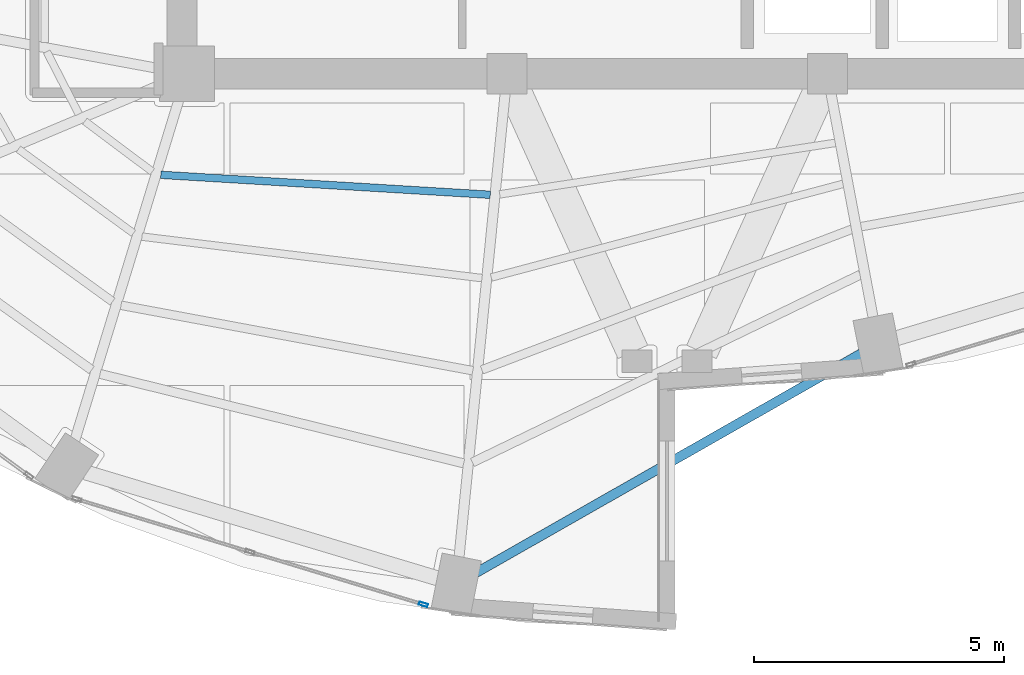
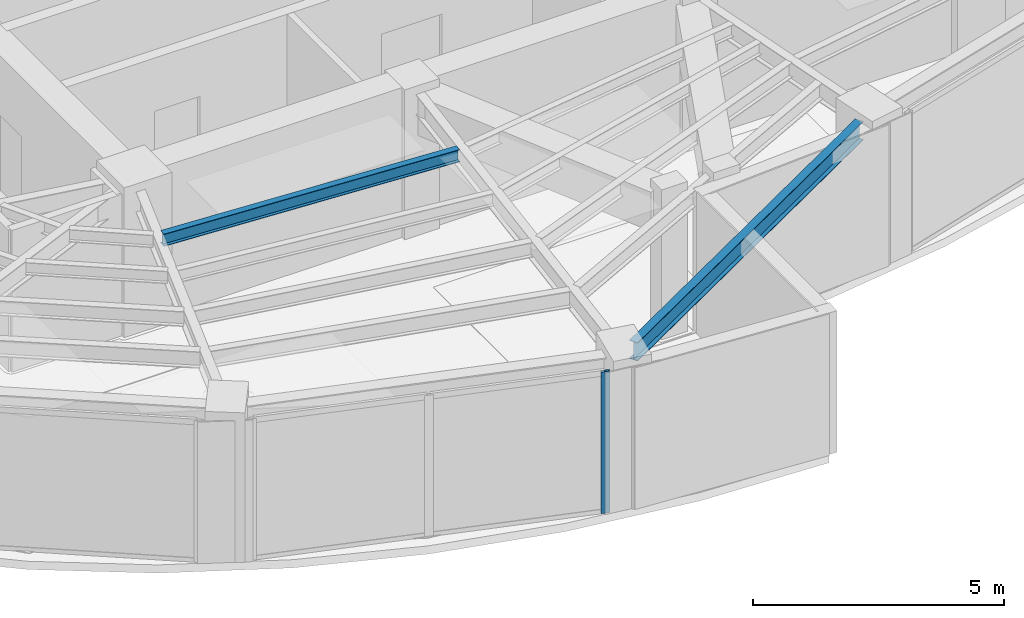
# One storey, part 5 of 23: 2 beams, 1 member, 1 element without a shape of its own.
"""IFC4 building model written with IfcOpenShell, lengths in metres."""

from ifc_helpers import new_model, si_unit, direction, frame, origin, origin_2d, place, context, subcontext, project, spatial, hollow_rectangle, i_section, extrude, material, layer, layer_set, material_profile, profile_set, type_object, element, aggregate, save


model = new_model("IFC4")

# Units and contexts
model_context = context("Model", 3, precision=1e-05, world=origin(), true_north=direction((0.0, 1.0)))
body_context = subcontext(model_context, "Body", "Model", "MODEL_VIEW")
ifc_project = project(units=[si_unit("LENGTHUNIT", "METRE"), si_unit("AREAUNIT", "SQUARE_METRE"), si_unit("VOLUMEUNIT", "CUBIC_METRE"), si_unit("PLANEANGLEUNIT", "RADIAN"), si_unit("MASSUNIT", "GRAM", prefix="KILO")], contexts=[model_context])

# Site, building, storey
site_placement = place(None, origin())
site = spatial("IfcSite", under=ifc_project, at=site_placement, CompositionType="ELEMENT")
building_placement = place(site_placement, origin())
building = spatial("IfcBuilding", under=site, at=building_placement, Name="Lazwardi Medical Tower", CompositionType="ELEMENT")
storey_placement = place(building_placement, frame((0.0, 0.0, 213.072021484375)))
storey = spatial("IfcBuildingStorey", under=building, at=storey_placement, Name="L55", CompositionType="ELEMENT", Elevation=213.072021484375)

# Beams
ifc_material_1 = material(Name="Steel S355", Category="steel")
ifc_material_profile_1 = material_profile(ifc_material_1, i_section(OverallWidth=0.14990234375, OverallDepth=0.300048828125, WebThickness=0.007080078125, FlangeThickness=0.0107421875, at=origin_2d()), Name="IPE 300")
ifc_profile_set_1 = profile_set([ifc_material_profile_1], Name="Steel S355")
beam_type_1 = type_object("IfcBeamType", Name="BM-SJ-03", PredefinedType="JOIST", material=ifc_profile_set_1)
beam_1_placement = place(storey_placement, frame((25.879150390625, 18.3798828125, 3.298095703125), z_axis=(0.998165515862, -0.060544223044, 0.0), x_axis=(0.060544223044, 0.998165515862, 0.0)))
element("IfcBeam", 1, at=beam_1_placement, inside=storey, type_object=beam_type_1, Name="Secondary joist SJ-03 R4 B15 L55", PredefinedType="JOIST", context=body_context, shape_type="SweptSolid", body=[
    extrude(i_section(OverallWidth=0.14990234375, OverallDepth=0.300048828125, WebThickness=0.007080078125, FlangeThickness=0.0107421875, at=origin_2d()), origin(), (0.0, 0.0, 1.0), 6.59716796875),
])
ifc_material_profile_2 = material_profile(ifc_material_1, i_section(OverallWidth=0.18994140625, OverallDepth=0.449951171875, WebThickness=0.009521484375, FlangeThickness=0.0146484375, at=origin_2d()), Name="IPE 450")
ifc_profile_set_2 = profile_set([ifc_material_profile_2], Name="Steel S355")
beam_type_2 = type_object("IfcBeamType", Name="BM-SP-01", PredefinedType="SPANDREL", material=ifc_profile_set_2)
beam_2_placement = place(storey_placement, frame((32.125, 10.394775390625, 3.222900390625), z_axis=(0.868954808466, 0.494891443494, 0.0), x_axis=(-0.494891443494, 0.868954808466, 0.0)))
element("IfcBeam", 2, at=beam_2_placement, inside=storey, type_object=beam_type_2, Name="Spandrel beam SP-01 B16 L55", PredefinedType="SPANDREL", context=body_context, shape_type="SweptSolid", body=[
    extrude(i_section(OverallWidth=0.18994140625, OverallDepth=0.449951171875, WebThickness=0.009521484375, FlangeThickness=0.0146484375, at=origin_2d()), origin(), (0.0, 0.0, 1.0), 8.918701171875),
])

# Curtain wall, member
ifc_material_2 = material(Name="Anodised bronze aluminium and solar control glazing", Category="aluminium")
ifc_layer = layer(ifc_material_2, 0.18994140625)
ifc_layer_set = layer_set([ifc_layer], Name="Anodised bronze aluminium and solar control glazing")
curtain_wall_type = type_object("IfcCurtainWallType", Name="CW-SYS-04", PredefinedType="NOTDEFINED", material=ifc_layer_set)
curtain_wall_placement = place(storey_placement, origin())
curtain_wall = element("IfcCurtainWall", 3, at=curtain_wall_placement, inside=storey, type_object=curtain_wall_type, Name="L55 Unitised bronze curtain wall CW-04", PredefinedType="NOTDEFINED")
ifc_material_3 = material(Name="Anodised bronze aluminium", Category="aluminium")
ifc_material_profile_3 = material_profile(ifc_material_3, hollow_rectangle(XDim=0.06494140625, YDim=0.179931640625, WallThickness=0.00390625, at=origin_2d()), Name="ALU-MULLION 180x65x4")
ifc_profile_set_3 = profile_set([ifc_material_profile_3], Name="Anodised bronze aluminium")
member_type = type_object("IfcMemberType", Name="CW-MUL-03", PredefinedType="MULLION", material=ifc_profile_set_3)
member_placement = place(storey_placement, frame((31.126953125, 9.79296875, 0.0), z_axis=(0.0, 0.0, 1.0), x_axis=(0.290581889515, 0.956850126972, 0.0)))
member = element("IfcMember", 4, at=member_placement, type_object=member_type, Name="CW-04 mullion 3", PredefinedType="MULLION", context=body_context, shape_type="SweptSolid", body=[
    extrude(hollow_rectangle(XDim=0.06494140625, YDim=0.179931640625, WallThickness=0.00390625, at=origin_2d()), origin(), (0.0, 0.0, 1.0), 3.447998046875),
])
aggregate(curtain_wall, [member])

save(model, "model.ifc")
